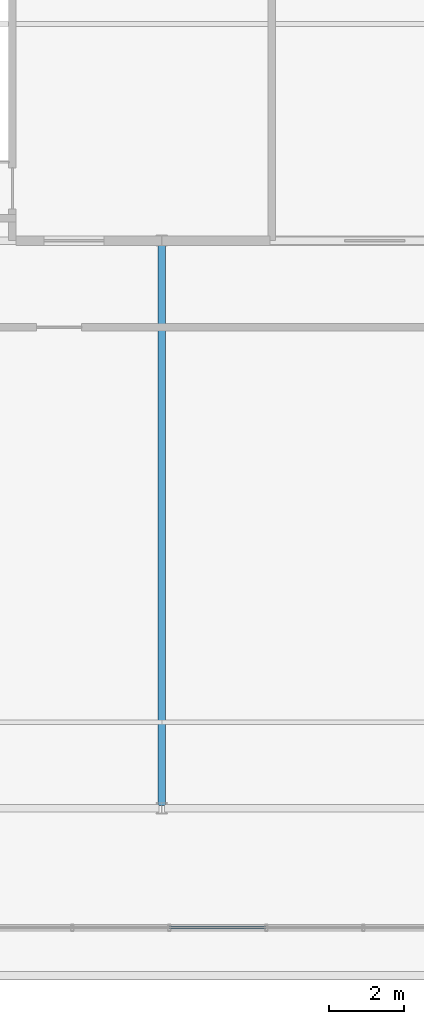
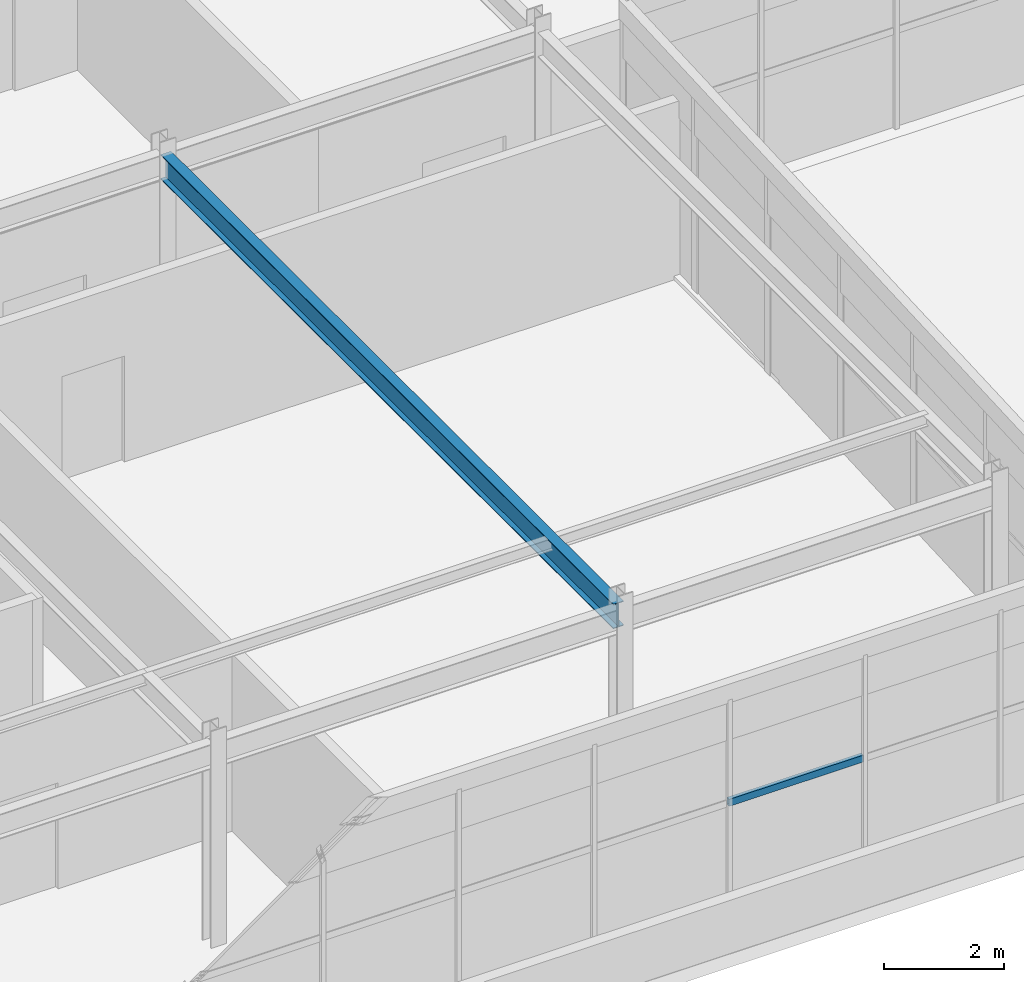
# One storey, part 6 of 37: 1 beam, 1 member, 1 element without a shape of its own.
"""IFC4 building model written with IfcOpenShell, lengths in metres."""

from ifc_helpers import new_model, si_unit, direction, frame, origin, origin_2d, place, context, subcontext, project, spatial, hollow_rectangle, i_section, extrude, source, transform, mapped, material, material_profile, profile_set, type_object, element, aggregate, save


model = new_model("IFC4")

# Units and contexts
model_context = context("Model", 3, precision=1e-05, world=origin(), true_north=direction((0.0, 1.0)))
body_context = subcontext(model_context, "Body", "Model", "MODEL_VIEW")
ifc_project = project(units=[si_unit("LENGTHUNIT", "METRE"), si_unit("AREAUNIT", "SQUARE_METRE"), si_unit("VOLUMEUNIT", "CUBIC_METRE"), si_unit("PLANEANGLEUNIT", "RADIAN"), si_unit("MASSUNIT", "GRAM", prefix="KILO")], contexts=[model_context])

# Site, building, storey
site_placement = place(None, origin())
site = spatial("IfcSite", under=ifc_project, at=site_placement, CompositionType="ELEMENT")
building_placement = place(site_placement, origin())
building = spatial("IfcBuilding", under=site, at=building_placement, Name="Trelvane Seafront Commons", CompositionType="ELEMENT")
storey_placement = place(building_placement, frame((0.0, 0.0, 303.5)))
storey = spatial("IfcBuildingStorey", under=building, at=storey_placement, Name="L79", CompositionType="ELEMENT", Elevation=303.5)

# Beam
ifc_material_1 = material(Name="Steel SM355 (S355)", Category="steel")
ifc_material_profile_1 = material_profile(ifc_material_1, i_section(OverallWidth=0.199951171875, OverallDepth=0.5, WebThickness=0.010009765625, FlangeThickness=0.01611328125, at=origin_2d()), Name="H-500x200x10x16")
ifc_profile_set_1 = profile_set([ifc_material_profile_1], Name="Steel SM355 (S355)")
beam_type = type_object("IfcBeamType", Name="STR-BM-H500", PredefinedType="BEAM", material=ifc_profile_set_1)
shared_shape_1 = source(origin(), body_context, "Body", "SweptSolid", [
    extrude(i_section(OverallWidth=0.199951171875, OverallDepth=0.5, WebThickness=0.010009765625, FlangeThickness=0.01611328125, at=origin_2d()), origin(), (0.0, 0.0, 1.0), 15.050048828125),
])
beam_placement = place(storey_placement, frame((23.39990234375, 18.27490234375, 3.85009765625), z_axis=(0.0, 1.0, 0.0), x_axis=(-1.0, 0.0, 0.0)))
element("IfcBeam", 1, at=beam_placement, inside=storey, type_object=beam_type, Name="L79 Primary Girder G-26", PredefinedType="BEAM", context=body_context, shape_type="MappedRepresentation", body=[
    mapped(shared_shape_1, transform((0.0, 0.0, 0.0), x_axis=(1.0, 0.0, 0.0), y_axis=(0.0, 1.0, 0.0), z_axis=(0.0, 0.0, 1.0), scale=1.0)),
])

# Curtain wall, member
ifc_material_2 = material(Name="Anodised pale-silver aluminium", Category="aluminium")
curtain_wall_type = type_object("IfcCurtainWallType", Name="ARCH-CW6-CROWN", PredefinedType="NOTDEFINED", material=ifc_material_2)
curtain_wall_placement = place(storey_placement, origin())
curtain_wall = element("IfcCurtainWall", 2, at=curtain_wall_placement, inside=storey, type_object=curtain_wall_type, Name="CW-L79-0135", PredefinedType="NOTDEFINED")
ifc_material_profile_2 = material_profile(ifc_material_2, hollow_rectangle(XDim=0.074951171875, YDim=0.139892578125, WallThickness=0.00390625, at=origin_2d()), Name="TRAN-75x140x4")
ifc_profile_set_2 = profile_set([ifc_material_profile_2], Name="Anodised pale-silver aluminium")
member_type = type_object("IfcMemberType", Name="ARCH-CW-TRAN-140", PredefinedType="USERDEFINED", material=ifc_profile_set_2)
shared_shape_2 = source(origin(), body_context, "Body", "SweptSolid", [
    extrude(hollow_rectangle(XDim=0.074951171875, YDim=0.139892578125, WallThickness=0.00390625, at=origin_2d()), origin(), (0.0, 0.0, 1.0), 2.575927734375),
])
member_placement = place(storey_placement, frame((26.18798828125, 15.0, 1.968017578125), z_axis=(-1.0, 0.0, 0.0), x_axis=(0.0, -1.0, 0.0)))
member = element("IfcMember", 3, at=member_placement, type_object=member_type, Name="CW-L79-0135-T02", ObjectType="TRANSOM", PredefinedType="USERDEFINED", context=body_context, shape_type="MappedRepresentation", body=[
    mapped(shared_shape_2, transform((0.0, 0.0, 0.0), x_axis=(1.0, 0.0, 0.0), y_axis=(0.0, 1.0, 0.0), z_axis=(0.0, 0.0, 1.0), scale=1.0)),
])
aggregate(curtain_wall, [member])

save(model, "model.ifc")
